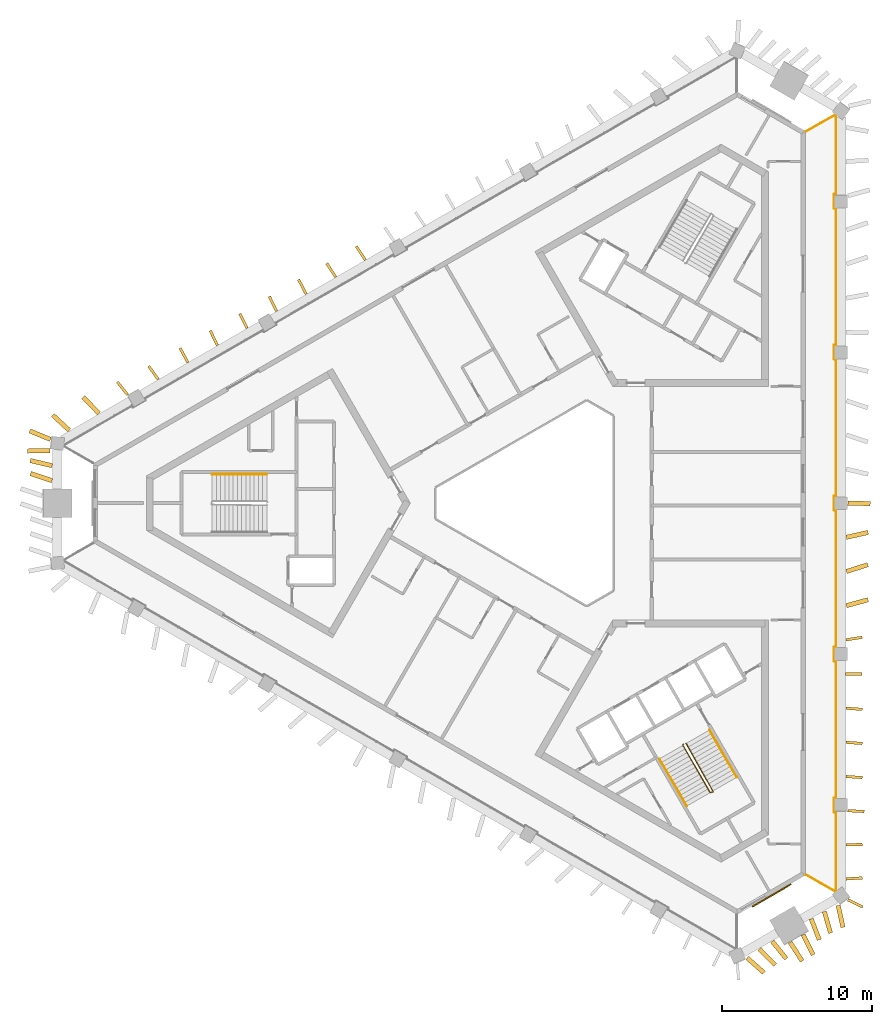
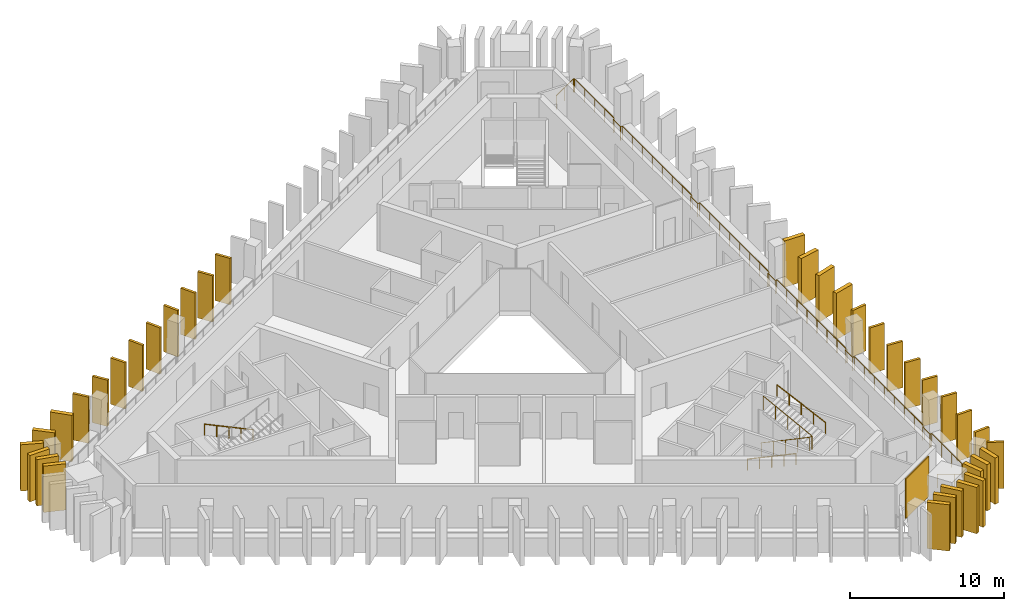
# One storey, part 8 of 9: 36 shading devices, 5 railings, 1 covering.
"""IFC4 building model written with IfcOpenShell, lengths in metres."""

from ifc_helpers import new_model, si_unit, direction, frame, frame_2d, origin, origin_2d, place, context, subcontext, project, spatial, rectangle, circle, extrude, material, layer, layer_set, type_object, element, save


model = new_model("IFC4")

# Units and contexts
model_context = context("Model", 3, precision=1e-05, world=origin(), true_north=direction((0.0, 1.0)))
body_context = subcontext(model_context, "Body", "Model", "MODEL_VIEW")
ifc_project = project(units=[si_unit("LENGTHUNIT", "METRE"), si_unit("AREAUNIT", "SQUARE_METRE"), si_unit("VOLUMEUNIT", "CUBIC_METRE"), si_unit("PLANEANGLEUNIT", "RADIAN"), si_unit("MASSUNIT", "GRAM", prefix="KILO")], contexts=[model_context])

# Site, building, storey
site_placement = place(None, origin())
site = spatial("IfcSite", under=ifc_project, at=site_placement, CompositionType="ELEMENT")
building_placement = place(site_placement, origin())
building = spatial("IfcBuilding", under=site, at=building_placement, Name="Jabali Bay Hotel Tower and Convention Centre", CompositionType="ELEMENT")
storey_placement = place(building_placement, frame((0.0, 0.0, 242.800048828125)))
storey = spatial("IfcBuildingStorey", under=building, at=storey_placement, Name="L60", CompositionType="ELEMENT", Elevation=242.800048828125)

# Railing
ifc_material_1 = material(Name="Glass", Category="glass")
railing_type_1 = type_object("IfcRailingType", Name="Loggia glass guard 1100", PredefinedType="BALUSTRADE", material=ifc_material_1)
railing_1_placement = place(storey_placement, frame((92.40380859375, 104.794677734375, 0.0)))
element("IfcRailing", 1, at=railing_1_placement, inside=storey, type_object=railing_type_1, Name="Loggia glass guard L60", PredefinedType="BALUSTRADE", context=body_context, shape_type="SweptSolid", body=[
    extrude(circle(Radius=0.02490234375, at=origin_2d()), frame((0.0, 0.0, 1.0751953125), z_axis=(0.86603545466, 0.499982590969, 0.0), x_axis=(-0.495705170593, 0.85862640129, 0.13052619222)), (0.0, 0.0, 1.0), 2.24755859375),
    extrude(circle(Radius=0.02490234375, at=origin_2d()), frame((1.946533203125, 1.123779296875, 1.0751953125), z_axis=(0.798685177606, -0.601749106416, 0.0), x_axis=(0.596601059392, 0.791852315193, 0.13052619222)), (0.0, 0.0, 1.0), 0.06689453125),
    extrude(circle(Radius=0.02490234375, at=origin_2d()), frame((2.0, 1.08349609375, 1.0751953125), z_axis=(0.0, -1.0, 0.0), x_axis=(0.991444861374, 0.0, 0.13052619222)), (0.0, 0.0, 1.0), 5.261962890625),
    extrude(circle(Radius=0.02490234375, at=origin_2d()), frame((2.0, -4.178466796875, 1.0751953125), z_axis=(-1.0, 0.0, 0.0), x_axis=(0.0, -0.991444861374, 0.13052619222)), (0.0, 0.0, 1.0), 0.125),
    extrude(circle(Radius=0.02490234375, at=origin_2d()), frame((1.875, -4.178466796875, 1.0751953125), z_axis=(0.0, -1.0, 0.0), x_axis=(0.991444861374, 0.0, 0.13052619222)), (0.0, 0.0, 1.0), 0.949951171875),
    extrude(circle(Radius=0.02490234375, at=origin_2d()), frame((1.875, -5.12841796875, 1.0751953125), z_axis=(1.0, 0.0, 0.0), x_axis=(0.0, 0.991444861374, 0.13052619222)), (0.0, 0.0, 1.0), 0.125),
    extrude(circle(Radius=0.02490234375, at=origin_2d()), frame((2.0, -5.12841796875, 1.0751953125), z_axis=(0.0, -1.0, 0.0), x_axis=(0.991444861374, 0.0, 0.13052619222)), (0.0, 0.0, 1.0), 9.12060546875),
    extrude(circle(Radius=0.02490234375, at=origin_2d()), frame((2.0, -14.2490234375, 1.0751953125), z_axis=(-1.0, 0.0, 0.0), x_axis=(0.0, -0.991444861374, 0.13052619222)), (0.0, 0.0, 1.0), 0.125),
    extrude(circle(Radius=0.02490234375, at=origin_2d()), frame((1.875, -14.2490234375, 1.0751953125), z_axis=(0.0, -1.0, 0.0), x_axis=(0.991444861374, 0.0, 0.13052619222)), (0.0, 0.0, 1.0), 0.949951171875),
    extrude(circle(Radius=0.02490234375, at=origin_2d()), frame((1.875, -15.198974609375, 1.0751953125), z_axis=(1.0, 0.0, 0.0), x_axis=(0.0, 0.991444861374, 0.13052619222)), (0.0, 0.0, 1.0), 0.125),
    extrude(circle(Radius=0.02490234375, at=origin_2d()), frame((2.0, -15.198974609375, 1.0751953125), z_axis=(0.0, -1.0, 0.0), x_axis=(0.991444861374, 0.0, 0.13052619222)), (0.0, 0.0, 1.0), 9.12060546875),
    extrude(circle(Radius=0.02490234375, at=origin_2d()), frame((2.0, -24.319580078125, 1.0751953125), z_axis=(-1.0, 0.0, 0.0), x_axis=(0.0, -0.991444861374, 0.13052619222)), (0.0, 0.0, 1.0), 0.125),
    extrude(circle(Radius=0.02490234375, at=origin_2d()), frame((1.875, -24.319580078125, 1.0751953125), z_axis=(0.0, -1.0, 0.0), x_axis=(0.991444861374, 0.0, 0.13052619222)), (0.0, 0.0, 1.0), 0.9501953125),
    extrude(circle(Radius=0.02490234375, at=origin_2d()), frame((1.875, -25.269775390625, 1.0751953125), z_axis=(1.0, 0.0, 0.0), x_axis=(0.0, 0.991444861374, 0.13052619222)), (0.0, 0.0, 1.0), 0.125),
    extrude(circle(Radius=0.02490234375, at=origin_2d()), frame((2.0, -25.269775390625, 1.0751953125), z_axis=(0.0, -1.0, 0.0), x_axis=(0.991444861374, 0.0, 0.13052619222)), (0.0, 0.0, 1.0), 9.12060546875),
    extrude(circle(Radius=0.02490234375, at=origin_2d()), frame((2.0, -34.390380859375, 1.0751953125), z_axis=(-1.0, 0.0, 0.0), x_axis=(0.0, -0.991444861374, 0.13052619222)), (0.0, 0.0, 1.0), 0.125),
    extrude(circle(Radius=0.02490234375, at=origin_2d()), frame((1.875, -34.390380859375, 1.0751953125), z_axis=(0.0, -1.0, 0.0), x_axis=(0.991444861374, 0.0, 0.13052619222)), (0.0, 0.0, 1.0), 0.949951171875),
    extrude(circle(Radius=0.02490234375, at=origin_2d()), frame((1.875, -35.34033203125, 1.0751953125), z_axis=(1.0, 0.0, 0.0), x_axis=(0.0, 0.991444861374, 0.13052619222)), (0.0, 0.0, 1.0), 0.125),
    extrude(circle(Radius=0.02490234375, at=origin_2d()), frame((2.0, -35.34033203125, 1.0751953125), z_axis=(0.0, -1.0, 0.0), x_axis=(0.991444861374, 0.0, 0.13052619222)), (0.0, 0.0, 1.0), 9.12060546875),
    extrude(circle(Radius=0.02490234375, at=origin_2d()), frame((2.0, -44.4609375, 1.0751953125), z_axis=(-1.0, 0.0, 0.0), x_axis=(0.0, -0.991444861374, 0.13052619222)), (0.0, 0.0, 1.0), 0.125),
    extrude(circle(Radius=0.02490234375, at=origin_2d()), frame((1.875, -44.4609375, 1.0751953125), z_axis=(0.0, -1.0, 0.0), x_axis=(0.991444861374, 0.0, 0.13052619222)), (0.0, 0.0, 1.0), 0.949951171875),
    extrude(circle(Radius=0.02490234375, at=origin_2d()), frame((1.875, -45.410888671875, 1.0751953125), z_axis=(1.0, 0.0, 0.0), x_axis=(0.0, 0.991444861374, 0.13052619222)), (0.0, 0.0, 1.0), 0.125),
    extrude(circle(Radius=0.02490234375, at=origin_2d()), frame((2.0, -45.410888671875, 1.0751953125), z_axis=(0.0, -1.0, 0.0), x_axis=(0.991444861374, 0.0, 0.13052619222)), (0.0, 0.0, 1.0), 5.261962890625),
    extrude(circle(Radius=0.02490234375, at=origin_2d()), frame((2.0, -50.6728515625, 1.0751953125), z_axis=(-0.798685177606, -0.601749106416, 0.0), x_axis=(0.596601059392, -0.791852315193, 0.13052619222)), (0.0, 0.0, 1.0), 0.06689453125),
    extrude(circle(Radius=0.02490234375, at=origin_2d()), frame((1.946533203125, -50.713134765625, 1.0751953125), z_axis=(-0.86603545466, 0.499982590969, 0.0), x_axis=(-0.495705170593, -0.85862640129, 0.13052619222)), (0.0, 0.0, 1.0), 2.24755859375),
    extrude(circle(Radius=0.02001953125, at=origin_2d()), origin(), (0.0, 0.0, 1.0), 1.050048828125),
    extrude(circle(Radius=0.02001953125, at=origin_2d()), frame((0.97314453125, 0.56201171875, 0.0)), (0.0, 0.0, 1.0), 1.050048828125),
    extrude(circle(Radius=0.02001953125, at=origin_2d()), frame((1.946533203125, 1.123779296875, 0.0)), (0.0, 0.0, 1.0), 1.050048828125),
    extrude(circle(Radius=0.02001953125, at=origin_2d()), frame((2.0, 1.08349609375, 0.0)), (0.0, 0.0, 1.0), 1.050048828125),
    extrude(circle(Radius=0.02001953125, at=origin_2d()), frame((2.0, -0.23193359375, 0.0)), (0.0, 0.0, 1.0), 1.050048828125),
    extrude(circle(Radius=0.02001953125, at=origin_2d()), frame((2.0, -1.54736328125, 0.0)), (0.0, 0.0, 1.0), 1.050048828125),
    extrude(circle(Radius=0.02001953125, at=origin_2d()), frame((2.0, -2.863037109375, 0.0)), (0.0, 0.0, 1.0), 1.050048828125),
    extrude(circle(Radius=0.02001953125, at=origin_2d()), frame((2.0, -4.178466796875, 0.0)), (0.0, 0.0, 1.0), 1.050048828125),
    extrude(circle(Radius=0.02001953125, at=origin_2d()), frame((1.875, -4.178466796875, 0.0)), (0.0, 0.0, 1.0), 1.050048828125),
    extrude(circle(Radius=0.02001953125, at=origin_2d()), frame((1.875, -5.12841796875, 0.0)), (0.0, 0.0, 1.0), 1.050048828125),
    extrude(circle(Radius=0.02001953125, at=origin_2d()), frame((2.0, -5.12841796875, 0.0)), (0.0, 0.0, 1.0), 1.050048828125),
    extrude(circle(Radius=0.02001953125, at=origin_2d()), frame((2.0, -6.431396484375, 0.0)), (0.0, 0.0, 1.0), 1.050048828125),
    extrude(circle(Radius=0.02001953125, at=origin_2d()), frame((2.0, -7.734375, 0.0)), (0.0, 0.0, 1.0), 1.050048828125),
    extrude(circle(Radius=0.02001953125, at=origin_2d()), frame((2.0, -9.037353515625, 0.0)), (0.0, 0.0, 1.0), 1.050048828125),
    extrude(circle(Radius=0.02001953125, at=origin_2d()), frame((2.0, -10.340087890625, 0.0)), (0.0, 0.0, 1.0), 1.050048828125),
    extrude(circle(Radius=0.02001953125, at=origin_2d()), frame((2.0, -11.64306640625, 0.0)), (0.0, 0.0, 1.0), 1.050048828125),
    extrude(circle(Radius=0.02001953125, at=origin_2d()), frame((2.0, -12.946044921875, 0.0)), (0.0, 0.0, 1.0), 1.050048828125),
    extrude(circle(Radius=0.02001953125, at=origin_2d()), frame((2.0, -14.2490234375, 0.0)), (0.0, 0.0, 1.0), 1.050048828125),
    extrude(circle(Radius=0.02001953125, at=origin_2d()), frame((1.875, -14.2490234375, 0.0)), (0.0, 0.0, 1.0), 1.050048828125),
    extrude(circle(Radius=0.02001953125, at=origin_2d()), frame((1.875, -15.198974609375, 0.0)), (0.0, 0.0, 1.0), 1.050048828125),
    extrude(circle(Radius=0.02001953125, at=origin_2d()), frame((2.0, -15.198974609375, 0.0)), (0.0, 0.0, 1.0), 1.050048828125),
    extrude(circle(Radius=0.02001953125, at=origin_2d()), frame((2.0, -16.501953125, 0.0)), (0.0, 0.0, 1.0), 1.050048828125),
    extrude(circle(Radius=0.02001953125, at=origin_2d()), frame((2.0, -17.804931640625, 0.0)), (0.0, 0.0, 1.0), 1.050048828125),
    extrude(circle(Radius=0.02001953125, at=origin_2d()), frame((2.0, -19.10791015625, 0.0)), (0.0, 0.0, 1.0), 1.050048828125),
    extrude(circle(Radius=0.02001953125, at=origin_2d()), frame((2.0, -20.41064453125, 0.0)), (0.0, 0.0, 1.0), 1.050048828125),
    extrude(circle(Radius=0.02001953125, at=origin_2d()), frame((2.0, -21.713623046875, 0.0)), (0.0, 0.0, 1.0), 1.050048828125),
    extrude(circle(Radius=0.02001953125, at=origin_2d()), frame((2.0, -23.0166015625, 0.0)), (0.0, 0.0, 1.0), 1.050048828125),
    extrude(circle(Radius=0.02001953125, at=origin_2d()), frame((2.0, -24.319580078125, 0.0)), (0.0, 0.0, 1.0), 1.050048828125),
    extrude(circle(Radius=0.02001953125, at=origin_2d()), frame((1.875, -24.319580078125, 0.0)), (0.0, 0.0, 1.0), 1.050048828125),
    extrude(circle(Radius=0.02001953125, at=origin_2d()), frame((1.875, -25.269775390625, 0.0)), (0.0, 0.0, 1.0), 1.050048828125),
    extrude(circle(Radius=0.02001953125, at=origin_2d()), frame((2.0, -25.269775390625, 0.0)), (0.0, 0.0, 1.0), 1.050048828125),
    extrude(circle(Radius=0.02001953125, at=origin_2d()), frame((2.0, -26.57275390625, 0.0)), (0.0, 0.0, 1.0), 1.050048828125),
    extrude(circle(Radius=0.02001953125, at=origin_2d()), frame((2.0, -27.875732421875, 0.0)), (0.0, 0.0, 1.0), 1.050048828125),
    extrude(circle(Radius=0.02001953125, at=origin_2d()), frame((2.0, -29.1787109375, 0.0)), (0.0, 0.0, 1.0), 1.050048828125),
    extrude(circle(Radius=0.02001953125, at=origin_2d()), frame((2.0, -30.4814453125, 0.0)), (0.0, 0.0, 1.0), 1.050048828125),
    extrude(circle(Radius=0.02001953125, at=origin_2d()), frame((2.0, -31.784423828125, 0.0)), (0.0, 0.0, 1.0), 1.050048828125),
    extrude(circle(Radius=0.02001953125, at=origin_2d()), frame((2.0, -33.08740234375, 0.0)), (0.0, 0.0, 1.0), 1.050048828125),
    extrude(circle(Radius=0.02001953125, at=origin_2d()), frame((2.0, -34.390380859375, 0.0)), (0.0, 0.0, 1.0), 1.050048828125),
    extrude(circle(Radius=0.02001953125, at=origin_2d()), frame((1.875, -34.390380859375, 0.0)), (0.0, 0.0, 1.0), 1.050048828125),
    extrude(circle(Radius=0.02001953125, at=origin_2d()), frame((1.875, -35.34033203125, 0.0)), (0.0, 0.0, 1.0), 1.050048828125),
    extrude(circle(Radius=0.02001953125, at=origin_2d()), frame((2.0, -35.34033203125, 0.0)), (0.0, 0.0, 1.0), 1.050048828125),
    extrude(circle(Radius=0.02001953125, at=origin_2d()), frame((2.0, -36.643310546875, 0.0)), (0.0, 0.0, 1.0), 1.050048828125),
    extrude(circle(Radius=0.02001953125, at=origin_2d()), frame((2.0, -37.9462890625, 0.0)), (0.0, 0.0, 1.0), 1.050048828125),
    extrude(circle(Radius=0.02001953125, at=origin_2d()), frame((2.0, -39.249267578125, 0.0)), (0.0, 0.0, 1.0), 1.050048828125),
    extrude(circle(Radius=0.02001953125, at=origin_2d()), frame((2.0, -40.552001953125, 0.0)), (0.0, 0.0, 1.0), 1.050048828125),
    extrude(circle(Radius=0.02001953125, at=origin_2d()), frame((2.0, -41.85498046875, 0.0)), (0.0, 0.0, 1.0), 1.050048828125),
    extrude(circle(Radius=0.02001953125, at=origin_2d()), frame((2.0, -43.157958984375, 0.0)), (0.0, 0.0, 1.0), 1.050048828125),
    extrude(circle(Radius=0.02001953125, at=origin_2d()), frame((2.0, -44.4609375, 0.0)), (0.0, 0.0, 1.0), 1.050048828125),
    extrude(circle(Radius=0.02001953125, at=origin_2d()), frame((1.875, -44.4609375, 0.0)), (0.0, 0.0, 1.0), 1.050048828125),
    extrude(circle(Radius=0.02001953125, at=origin_2d()), frame((1.875, -45.410888671875, 0.0)), (0.0, 0.0, 1.0), 1.050048828125),
    extrude(circle(Radius=0.02001953125, at=origin_2d()), frame((2.0, -45.410888671875, 0.0)), (0.0, 0.0, 1.0), 1.050048828125),
    extrude(circle(Radius=0.02001953125, at=origin_2d()), frame((2.0, -46.726318359375, 0.0)), (0.0, 0.0, 1.0), 1.050048828125),
    extrude(circle(Radius=0.02001953125, at=origin_2d()), frame((2.0, -48.0419921875, 0.0)), (0.0, 0.0, 1.0), 1.050048828125),
    extrude(circle(Radius=0.02001953125, at=origin_2d()), frame((2.0, -49.357421875, 0.0)), (0.0, 0.0, 1.0), 1.050048828125),
    extrude(circle(Radius=0.02001953125, at=origin_2d()), frame((2.0, -50.6728515625, 0.0)), (0.0, 0.0, 1.0), 1.050048828125),
    extrude(circle(Radius=0.02001953125, at=origin_2d()), frame((1.946533203125, -50.713134765625, 0.0)), (0.0, 0.0, 1.0), 1.050048828125),
    extrude(circle(Radius=0.02001953125, at=origin_2d()), frame((0.97314453125, -50.1513671875, 0.0)), (0.0, 0.0, 1.0), 1.050048828125),
    extrude(circle(Radius=0.02001953125, at=origin_2d()), frame((0.0, -49.58935546875, 0.0)), (0.0, 0.0, 1.0), 1.050048828125),
])

# Shading devices
ifc_material_2 = material(Name="Precast concrete C60", Category="concrete")
ifc_layer_1 = layer(ifc_material_2, 0.179931640625)
ifc_layer_set_1 = layer_set([ifc_layer_1], Name="Precast concrete C60")
shading_device_type_1 = type_object("IfcShadingDeviceType", Name="Precast fin 3680 x 1100", PredefinedType="USERDEFINED", material=ifc_layer_set_1)
for number, where, z_axis, x_axis, name in (
    (2, (95.052001953125, 54.930419921875, 0.010009765625), (0.0, 0.0, 1.0), (0.997868810902, 0.06525209751, 0.0), "Fin L60 000"),
    (3, (95.048095703125, 57.20947265625, 0.010009765625), (0.0, 0.0, 1.0), (0.999768274992, 0.021526642103, 0.0), "Fin L60 001"),
    (4, (95.181640625, 59.488525390625, 0.010009765625), (0.0, 0.0, 1.0), (0.99848416118, -0.055039802617, 0.0), "Fin L60 002"),
):
    element("IfcShadingDevice", number, at=place(storey_placement, frame(where, z_axis=z_axis, x_axis=x_axis)), inside=storey, type_object=shading_device_type_1, Name=name, ObjectType="FIN", PredefinedType="USERDEFINED", context=body_context, shape_type="SweptSolid", body=[
        extrude(rectangle(XDim=1.10009765625, YDim=0.179931640625, at=frame_2d((0.550048828125, 0.0))), origin(), (0.0, 0.0, 1.0), 3.679931640625),
    ])
shading_device_1_placement = place(storey_placement, frame((95.05224609375, 61.767578125, 0.010009765625), z_axis=(0.0, 0.0, 1.0), x_axis=(0.997794969053, -0.066371678698, 0.0)))
element("IfcShadingDevice", 5, at=shading_device_1_placement, inside=storey, type_object=shading_device_type_1, Name="Fin L60 003", ObjectType="FIN", PredefinedType="USERDEFINED", context=body_context, shape_type="SweptSolid", body=[
    extrude(rectangle(XDim=1.099853515625, YDim=0.179931640625, at=frame_2d((0.5498046875, 0.0))), origin(), (0.0, 0.0, 1.0), 3.679931640625),
])
shading_device_2_placement = place(storey_placement, frame((95.052490234375, 64.046630859375, 0.010009765625), z_axis=(0.0, 0.0, 1.0), x_axis=(0.997615070298, -0.069022978167, 0.0)))
element("IfcShadingDevice", 6, at=shading_device_2_placement, inside=storey, type_object=shading_device_type_1, Name="Fin L60 004", ObjectType="FIN", PredefinedType="USERDEFINED", context=body_context, shape_type="SweptSolid", body=[
    extrude(rectangle(XDim=1.10009765625, YDim=0.179931640625, at=frame_2d((0.550048828125, 0.0))), origin(), (0.0, 0.0, 1.0), 3.679931640625),
])
shading_device_3_placement = place(storey_placement, frame((95.052978515625, 66.32568359375, 0.010009765625), z_axis=(0.0, 0.0, 1.0), x_axis=(0.99723190741, -0.074354037165, 0.0)))
element("IfcShadingDevice", 7, at=shading_device_3_placement, inside=storey, type_object=shading_device_type_1, Name="Fin L60 005", ObjectType="FIN", PredefinedType="USERDEFINED", context=body_context, shape_type="SweptSolid", body=[
    extrude(rectangle(XDim=1.099853515625, YDim=0.179931640625, at=frame_2d((0.5498046875, 0.0))), origin(), (0.0, 0.0, 1.0), 3.679931640625),
])
shading_device_4_placement = place(storey_placement, frame((95.046142578125, 68.604736328125, 0.010009765625), z_axis=(0.0, 0.0, 1.0), x_axis=(0.999999975374, -0.000221926315, 0.0)))
element("IfcShadingDevice", 8, at=shading_device_4_placement, inside=storey, type_object=shading_device_type_1, Name="Fin L60 006", ObjectType="FIN", PredefinedType="USERDEFINED", context=body_context, shape_type="SweptSolid", body=[
    extrude(rectangle(XDim=1.10009765625, YDim=0.179931640625, at=frame_2d((0.550048828125, 0.0))), origin(), (0.0, 0.0, 1.0), 3.679931640625),
])
shading_device_5_placement = place(storey_placement, frame((95.06005859375, 70.8837890625, 0.010009765625), z_axis=(0.0, 0.0, 1.0), x_axis=(0.988134441025, 0.153591427042, 0.0)))
element("IfcShadingDevice", 9, at=shading_device_5_placement, inside=storey, type_object=shading_device_type_1, Name="Fin L60 007", ObjectType="FIN", PredefinedType="USERDEFINED", context=body_context, shape_type="SweptSolid", body=[
    extrude(rectangle(XDim=1.099853515625, YDim=0.179931640625, at=frame_2d((0.5498046875, 0.0))), origin(), (0.0, 0.0, 1.0), 3.679931640625),
])
shading_device_6_placement = place(storey_placement, frame((63.000244140625, 96.22607421875, 0.010009765625), z_axis=(0.0, 0.0, 1.0), x_axis=(-0.555314670975, 0.831640316603, 0.0)))
element("IfcShadingDevice", 10, at=shading_device_6_placement, inside=storey, type_object=shading_device_type_1, Name="Fin L60 043", ObjectType="FIN", PredefinedType="USERDEFINED", context=body_context, shape_type="SweptSolid", body=[
    extrude(rectangle(XDim=1.10009765625, YDim=0.179931640625, at=frame_2d((0.550048828125, 0.0))), origin(), (0.0, 0.0, 1.0), 3.679931640625),
])
shading_device_7_placement = place(storey_placement, frame((61.026611328125, 95.08642578125, 0.010009765625), z_axis=(0.0, 0.0, 1.0), x_axis=(-0.553162497908, 0.833073376665, 0.0)))
element("IfcShadingDevice", 11, at=shading_device_7_placement, inside=storey, type_object=shading_device_type_1, Name="Fin L60 044", ObjectType="FIN", PredefinedType="USERDEFINED", context=body_context, shape_type="SweptSolid", body=[
    extrude(rectangle(XDim=1.099853515625, YDim=0.179931640625, at=frame_2d((0.5498046875, 0.0))), origin(), (0.0, 0.0, 1.0), 3.679931640625),
])
for number, where, z_axis, x_axis, name in (
    (12, (59.053955078125, 93.945068359375, 0.010009765625), (0.0, 0.0, 1.0), (-0.465847047958, 0.884865259748, 0.0), "Fin L60 045"),
    (13, (57.0791015625, 92.8076171875, 0.010009765625), (0.0, 0.0, 1.0), (-0.442324275547, 0.896855191914, 0.0), "Fin L60 046"),
    (14, (55.105224609375, 91.66796875, 0.010009765625), (0.0, 0.0, 1.0), (-0.441433910619, 0.89729376603, 0.0), "Fin L60 047"),
    (15, (53.131591796875, 90.528564453125, 0.010009765625), (0.0, 0.0, 1.0), (-0.439830922678, 0.898080597416, 0.0), "Fin L60 048"),
    (16, (51.159912109375, 89.3857421875, 0.010009765625), (0.0, 0.0, 1.0), (-0.479147539456, 0.877734376354, 0.0), "Fin L60 049"),
):
    element("IfcShadingDevice", number, at=place(storey_placement, frame(where, z_axis=z_axis, x_axis=x_axis)), inside=storey, type_object=shading_device_type_1, Name=name, ObjectType="FIN", PredefinedType="USERDEFINED", context=body_context, shape_type="SweptSolid", body=[
        extrude(rectangle(XDim=1.10009765625, YDim=0.179931640625, at=frame_2d((0.550048828125, 0.0))), origin(), (0.0, 0.0, 1.0), 3.679931640625),
    ])
shading_device_8_placement = place(storey_placement, frame((49.182861328125, 88.251708984375, 0.010009765625), z_axis=(0.0, 0.0, 1.0), x_axis=(-0.579998706615, 0.814617395054, 0.0)))
element("IfcShadingDevice", 17, at=shading_device_8_placement, inside=storey, type_object=shading_device_type_1, Name="Fin L60 050", ObjectType="FIN", PredefinedType="USERDEFINED", context=body_context, shape_type="SweptSolid", body=[
    extrude(rectangle(XDim=1.099853515625, YDim=0.179931640625, at=frame_2d((0.5498046875, 0.0))), origin(), (0.0, 0.0, 1.0), 3.679931640625),
])
for number, where, z_axis, x_axis, name in (
    (18, (47.14306640625, 87.226806640625, 0.010009765625), (0.0, 0.0, 1.0), (-0.627370660402, 0.778720780811, 0.0), "Fin L60 051"),
    (19, (95.19140625, 53.538330078125, 0.010009765625), (0.0, 0.0, 1.0), (0.896767139441, -0.442502765663, 0.0), "Fin L60 093"),
):
    element("IfcShadingDevice", number, at=place(storey_placement, frame(where, z_axis=z_axis, x_axis=x_axis)), inside=storey, type_object=shading_device_type_1, Name=name, ObjectType="FIN", PredefinedType="USERDEFINED", context=body_context, shape_type="SweptSolid", body=[
        extrude(rectangle(XDim=1.10009765625, YDim=0.179931640625, at=frame_2d((0.550048828125, 0.0))), origin(), (0.0, 0.0, 1.0), 3.679931640625),
    ])
ifc_layer_2 = layer(ifc_material_2, 0.300048828125)
ifc_layer_set_2 = layer_set([ifc_layer_2], Name="Precast concrete C60")
shading_device_type_2 = type_object("IfcShadingDeviceType", Name="Precast fin 3680 x 1500", PredefinedType="USERDEFINED", material=ifc_layer_set_2)
for number, where, z_axis, x_axis, name in (
    (20, (95.085693359375, 73.162841796875, 0.010009765625), (0.0, 0.0, 1.0), (0.964876416867, 0.262704206617, 0.0), "Fin L60 008"),
    (21, (95.091796875, 75.44189453125, 0.010009765625), (0.0, 0.0, 1.0), (0.952611054516, 0.304191023559, 0.0), "Fin L60 009"),
    (22, (95.078857421875, 77.720947265625, 0.010009765625), (0.0, 0.0, 1.0), (0.975891280829, 0.218257206069, 0.0), "Fin L60 010"),
    (23, (95.181640625, 80.0, 0.010009765625), (0.0, 0.0, 1.0), (0.999812422524, -0.019368008836, 0.0), "Fin L60 011"),
    (24, (45.221435546875, 85.996826171875, 0.010009765625), (0.0, 0.0, 1.0), (-0.695952627375, 0.718087696908, 0.0), "Fin L60 052"),
    (25, (43.24365234375, 84.864501953125, 0.010009765625), (0.0, 0.0, 1.0), (-0.735171488662, 0.677881171193, 0.0), "Fin L60 053"),
    (26, (41.953857421875, 83.50244140625, 0.010009765625), (0.0, 0.0, 1.0), (-0.999897409421, -0.014323778615, 0.0), "Fin L60 054"),
):
    element("IfcShadingDevice", number, at=place(storey_placement, frame(where, z_axis=z_axis, x_axis=x_axis)), inside=storey, type_object=shading_device_type_2, Name=name, ObjectType="FIN", PredefinedType="USERDEFINED", context=body_context, shape_type="SweptSolid", body=[
        extrude(rectangle(XDim=1.5, YDim=0.300048828125, at=frame_2d((0.75, 0.0))), origin(), (0.0, 0.0, 1.0), 3.679931640625),
    ])
shading_device_9_placement = place(storey_placement, frame((42.1044921875, 82.501708984375, 0.010009765625), z_axis=(0.0, 0.0, 1.0), x_axis=(-0.973698166021, 0.227841790478, 0.0)))
element("IfcShadingDevice", 27, at=shading_device_9_placement, inside=storey, type_object=shading_device_type_2, Name="Fin L60 055", ObjectType="FIN", PredefinedType="USERDEFINED", context=body_context, shape_type="SweptSolid", body=[
    extrude(rectangle(XDim=1.500244140625, YDim=0.300048828125, at=frame_2d((0.75, 0.0))), origin(), (0.0, 0.0, 1.0), 3.679931640625),
])
for number, where, z_axis, x_axis, name in (
    (28, (42.0908203125, 81.5009765625, 0.010009765625), (0.0, 0.0, 1.0), (-0.94796468296, 0.318375501351, 0.0), "Fin L60 056"),
    (29, (88.468994140625, 49.666259765625, 0.010009765625), (0.0, 0.0, 1.0), (0.749685839111, -0.66179388229, 0.0), "Fin L60 085"),
    (30, (89.283203125, 50.25732421875, 0.010009765625), (0.0, 0.0, 1.0), (0.703762385555, -0.710435433152, 0.0), "Fin L60 086"),
    (31, (90.142578125, 50.770263671875, 0.010009765625), (0.0, 0.0, 1.0), (0.629427638622, -0.777059101831, 0.0), "Fin L60 087"),
    (32, (91.33251953125, 50.710693359375, 0.010009765625), (0.0, 0.0, 1.0), (0.542319633456, -0.840172253272, 0.0), "Fin L60 088"),
    (33, (92.19970703125, 51.210205078125, 0.010009765625), (0.0, 0.0, 1.0), (0.449555870508, -0.893252214826, 0.0), "Fin L60 089"),
    (34, (92.7421875, 52.271484375, 0.010009765625), (0.0, 0.0, 1.0), (0.359546170843, -0.933127296263, 0.0), "Fin L60 090"),
    (35, (93.614990234375, 52.76123046875, 0.010009765625), (0.0, 0.0, 1.0), (0.279768755433, -0.960067416114, 0.0), "Fin L60 091"),
    (36, (94.53662109375, 53.166259765625, 0.010009765625), (0.0, 0.0, 1.0), (0.217447429914, -0.976072033829, 0.0), "Fin L60 092"),
    (37, (41.98828125, 84.255126953125, 0.010009765625), (0.0, 0.0, 1.0), (-0.92469158173, 0.380717058558, 0.0), "Fin L60 096"),
):
    element("IfcShadingDevice", number, at=place(storey_placement, frame(where, z_axis=z_axis, x_axis=x_axis)), inside=storey, type_object=shading_device_type_2, Name=name, ObjectType="FIN", PredefinedType="USERDEFINED", context=body_context, shape_type="SweptSolid", body=[
        extrude(rectangle(XDim=1.5, YDim=0.300048828125, at=frame_2d((0.75, 0.0))), origin(), (0.0, 0.0, 1.0), 3.679931640625),
    ])

# Covering
ifc_material_3 = material(Name="Precast concrete C40/50", Category="concrete")
ifc_layer_3 = layer(ifc_material_3, 0.080078125)
ifc_layer_set_3 = layer_set([ifc_layer_3], Name="Precast concrete C40/50")
covering_type = type_object("IfcCoveringType", Name="Relief panel 3000 x 3150", PredefinedType="CLADDING", material=ifc_layer_set_3)
covering_placement = place(storey_placement, frame((90.107421875, 53.833251953125, 0.10009765625), z_axis=(0.0, 0.0, 1.0), x_axis=(-0.866025380432, -0.500000040448, 0.0)))
element("IfcCovering", 38, at=covering_placement, inside=storey, type_object=covering_type, Name="Relief panel L60", PredefinedType="CLADDING", context=body_context, shape_type="SweptSolid", body=[
    extrude(rectangle(XDim=3.0, YDim=0.080078125, at=origin_2d()), origin(), (0.0, 0.0, 1.0), 3.14990234375),
])

# Railings
ifc_material_4 = material(Name="Steel Q355B", Category="steel")
railing_type_2 = type_object("IfcRailingType", Name="Stair guard 1100", PredefinedType="GUARDRAIL", material=ifc_material_4)
railing_2_placement = place(storey_placement, frame((84.199951171875, 63.9150390625, 0.0)))
element("IfcRailing", 39, at=railing_2_placement, inside=storey, type_object=railing_type_2, Name="L60 ST3 stair guard 1", PredefinedType="GUARDRAIL", context=body_context, shape_type="SweptSolid", body=[
    extrude(circle(Radius=0.02392578125, at=origin_2d()), frame((0.0, 0.0, 1.076171875), z_axis=(-0.122196845461, -0.456201556387, 0.881446578591), x_axis=(0.965948051503, -0.258736085224, 0.0)), (0.0, 0.0, 1.0), 0.14990234375),
    extrude(circle(Radius=0.02392578125, at=origin_2d()), frame((-0.018310546875, -0.068359375, 1.2080078125), z_axis=(0.452190331055, -0.783190014029, 0.426775475427), x_axis=(0.866018046521, 0.500012742938, 0.0)), (0.0, 0.0, 1.0), 4.02490234375),
    extrude(circle(Radius=0.02392578125, at=origin_2d()), frame((1.8017578125, -3.220703125, 2.92578125), z_axis=(0.96121063429, 0.275815366736, 0.0), x_axis=(-0.275815366736, 0.96121063429, 0.0)), (0.0, 0.0, 1.0), 0.206298828125),
    extrude(circle(Radius=0.02392578125, at=origin_2d()), frame((2.0, -3.163818359375, 2.92578125), z_axis=(-0.436470229993, 0.780146179382, 0.448180406895), x_axis=(-0.872702246529, -0.488252792008, 0.0)), (0.0, 0.0, 1.0), 4.1279296875),
    extrude(circle(Radius=0.02099609375, at=origin_2d()), origin(), (0.0, 0.0, 1.0), 1.052001953125),
    extrude(circle(Radius=0.02099609375, at=origin_2d()), frame((-0.018310546875, -0.068359375, 0.132080078125)), (0.0, 0.0, 1.0), 1.052001953125),
    extrude(circle(Radius=0.02099609375, at=origin_2d()), frame((0.436767578125, -0.8564453125, 0.5615234375)), (0.0, 0.0, 1.0), 1.052001953125),
    extrude(circle(Radius=0.02099609375, at=origin_2d()), frame((0.8916015625, -1.64453125, 0.990966796875)), (0.0, 0.0, 1.0), 1.052001953125),
    extrude(circle(Radius=0.02099609375, at=origin_2d()), frame((1.3466796875, -2.4326171875, 1.42041015625)), (0.0, 0.0, 1.0), 1.052001953125),
    extrude(circle(Radius=0.02099609375, at=origin_2d()), frame((1.8017578125, -3.220703125, 1.849853515625)), (0.0, 0.0, 1.0), 1.052001953125),
    extrude(circle(Radius=0.02099609375, at=origin_2d()), frame((2.0, -3.163818359375, 1.849853515625)), (0.0, 0.0, 1.0), 1.052001953125),
    extrude(circle(Radius=0.02099609375, at=origin_2d()), frame((1.549560546875, -2.358642578125, 2.3125)), (0.0, 0.0, 1.0), 1.052001953125),
    extrude(circle(Radius=0.02099609375, at=origin_2d()), frame((1.09912109375, -1.5537109375, 2.77490234375)), (0.0, 0.0, 1.0), 1.052001953125),
    extrude(circle(Radius=0.02099609375, at=origin_2d()), frame((0.648681640625, -0.74853515625, 3.2373046875)), (0.0, 0.0, 1.0), 1.052001953125),
    extrude(circle(Radius=0.02099609375, at=origin_2d()), frame((0.1982421875, 0.056640625, 3.699951171875)), (0.0, 0.0, 1.0), 1.052001953125),
])
railing_type_3 = type_object("IfcRailingType", Name="Stair handrail 900", PredefinedType="HANDRAIL", material=ifc_material_4)
railing_3_placement = place(storey_placement, frame((56.419921875, 81.925048828125, 0.132080078125)))
element("IfcRailing", 40, at=railing_3_placement, inside=storey, type_object=railing_type_3, Name="L60 ST1 stair handrail 1", PredefinedType="HANDRAIL", context=body_context, shape_type="SweptSolid", body=[
    extrude(circle(Radius=0.02392578125, at=origin_2d()), frame((0.0, 0.0, 0.8759765625), z_axis=(-0.904350763662, 0.0, 0.426789990819), x_axis=(0.0, -1.0, 0.0)), (0.0, 0.0, 1.0), 4.02490234375),
    extrude(circle(Radius=0.02099609375, at=origin_2d()), origin(), (0.0, 0.0, 1.0), 0.851806640625),
    extrude(circle(Radius=0.02099609375, at=origin_2d()), frame((-0.909912109375, 0.0, 0.429443359375)), (0.0, 0.0, 1.0), 0.851806640625),
    extrude(circle(Radius=0.02099609375, at=origin_2d()), frame((-1.81982421875, 0.0, 0.85888671875)), (0.0, 0.0, 1.0), 0.851806640625),
    extrude(circle(Radius=0.02099609375, at=origin_2d()), frame((-2.72998046875, 0.0, 1.288330078125)), (0.0, 0.0, 1.0), 0.851806640625),
    extrude(circle(Radius=0.02099609375, at=origin_2d()), frame((-3.639892578125, 0.0, 1.7177734375)), (0.0, 0.0, 1.0), 0.851806640625),
])
railing_4_placement = place(storey_placement, frame((82.622802734375, 62.94677734375, 0.132080078125)))
element("IfcRailing", 41, at=railing_4_placement, inside=storey, type_object=railing_type_3, Name="L60 ST3 stair handrail 1", PredefinedType="HANDRAIL", context=body_context, shape_type="SweptSolid", body=[
    extrude(circle(Radius=0.02392578125, at=origin_2d()), frame((0.0, 0.0, 0.8759765625), z_axis=(0.452190331055, -0.783190014029, 0.426775475427), x_axis=(0.866018046521, 0.500012742938, 0.0)), (0.0, 0.0, 1.0), 4.02490234375),
    extrude(circle(Radius=0.02099609375, at=origin_2d()), origin(), (0.0, 0.0, 1.0), 0.851806640625),
    extrude(circle(Radius=0.02099609375, at=origin_2d()), frame((0.455078125, -0.7880859375, 0.429443359375)), (0.0, 0.0, 1.0), 0.851806640625),
    extrude(circle(Radius=0.02099609375, at=origin_2d()), frame((0.91015625, -1.576171875, 0.85888671875)), (0.0, 0.0, 1.0), 0.851806640625),
    extrude(circle(Radius=0.02099609375, at=origin_2d()), frame((1.364990234375, -2.3642578125, 1.288330078125)), (0.0, 0.0, 1.0), 0.851806640625),
    extrude(circle(Radius=0.02099609375, at=origin_2d()), frame((1.820068359375, -3.15234375, 1.7177734375)), (0.0, 0.0, 1.0), 0.851806640625),
])
railing_5_placement = place(storey_placement, frame((87.777099609375, 61.719482421875, 1.982177734375)))
element("IfcRailing", 42, at=railing_5_placement, inside=storey, type_object=railing_type_3, Name="L60 ST3 stair handrail 2", PredefinedType="HANDRAIL", context=body_context, shape_type="SweptSolid", body=[
    extrude(circle(Radius=0.02392578125, at=origin_2d()), frame((0.0, 0.0, 0.8759765625), z_axis=(-0.452190331055, 0.783190014029, 0.426775475427), x_axis=(-0.866018046521, -0.500012742938, 0.0)), (0.0, 0.0, 1.0), 4.02490234375),
    extrude(circle(Radius=0.02099609375, at=origin_2d()), origin(), (0.0, 0.0, 1.0), 0.851806640625),
    extrude(circle(Radius=0.02099609375, at=origin_2d()), frame((-0.455078125, 0.7880859375, 0.429443359375)), (0.0, 0.0, 1.0), 0.851806640625),
    extrude(circle(Radius=0.02099609375, at=origin_2d()), frame((-0.91015625, 1.576171875, 0.85888671875)), (0.0, 0.0, 1.0), 0.851806640625),
    extrude(circle(Radius=0.02099609375, at=origin_2d()), frame((-1.364990234375, 2.3642578125, 1.288330078125)), (0.0, 0.0, 1.0), 0.851806640625),
    extrude(circle(Radius=0.02099609375, at=origin_2d()), frame((-1.820068359375, 3.15234375, 1.7177734375)), (0.0, 0.0, 1.0), 0.851806640625),
])

save(model, "model.ifc")
